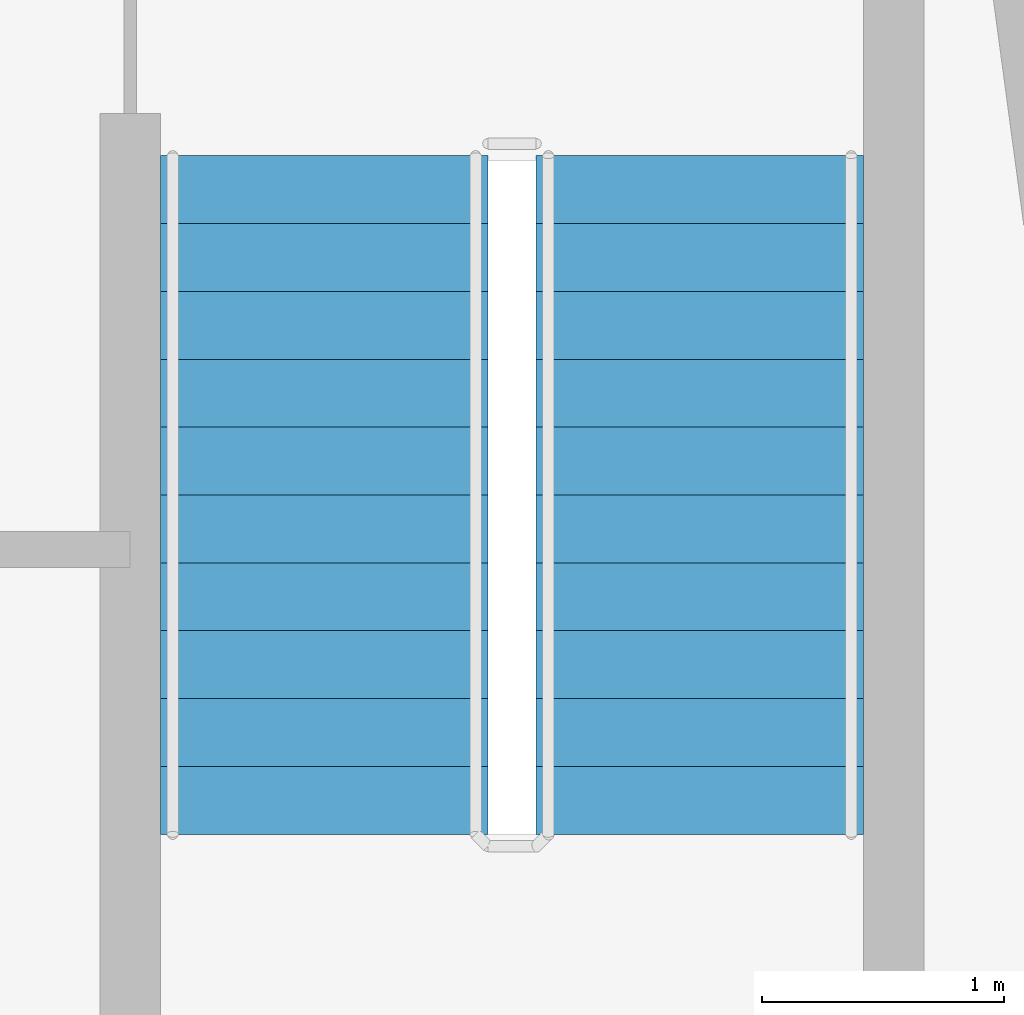
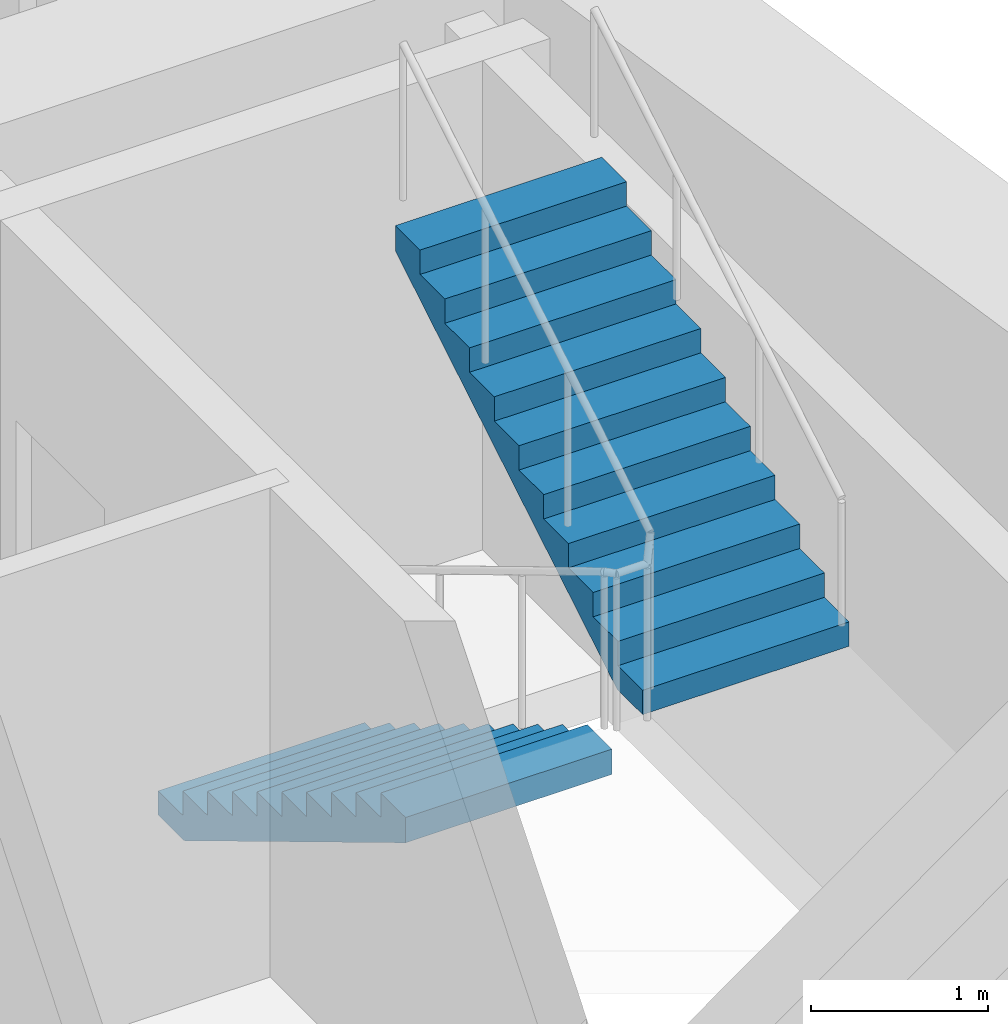
# One storey, part 9 of 14: 2 stair flights, 1 element without a shape of its own.
"""IFC4 building model written with IfcOpenShell, lengths in metres."""

from ifc_helpers import new_model, si_unit, direction, frame, origin, place, context, subcontext, project, spatial, polyline, outline, extrude, material, type_object, element, aggregate, save


model = new_model("IFC4")

# Units and contexts
model_context = context("Model", 3, precision=1e-05, world=origin(), true_north=direction((0.0, 1.0)))
body_context = subcontext(model_context, "Body", "Model", "MODEL_VIEW")
ifc_project = project(units=[si_unit("LENGTHUNIT", "METRE"), si_unit("AREAUNIT", "SQUARE_METRE"), si_unit("VOLUMEUNIT", "CUBIC_METRE"), si_unit("PLANEANGLEUNIT", "RADIAN"), si_unit("MASSUNIT", "GRAM", prefix="KILO")], contexts=[model_context])

# Site, building, storey
site_placement = place(None, origin())
site = spatial("IfcSite", under=ifc_project, at=site_placement, CompositionType="ELEMENT")
building_placement = place(site_placement, origin())
building = spatial("IfcBuilding", under=site, at=building_placement, Name="Candeia Pilgrim Tower and Theatre", CompositionType="ELEMENT")
storey_placement = place(building_placement, frame((0.0, 0.0, 173.699951171875)))
storey = spatial("IfcBuildingStorey", under=building, at=storey_placement, Name="L41", CompositionType="ELEMENT", Elevation=173.699951171875)

# Stair, stair flights
ifc_material = material(Name="Concrete C40/50", Category="concrete")
stair_type = type_object("IfcStairType", Name="ST-TWR dog-leg escape stair", PredefinedType="HALF_TURN_STAIR", material=ifc_material)
stair_placement = place(storey_placement, origin())
stair = element("IfcStair", 1, at=stair_placement, inside=storey, type_object=stair_type, Name="L41 Escape stair ST4", PredefinedType="HALF_TURN_STAIR")
stair_flight_type = type_object("IfcStairFlightType", Name="SFL-RC stair flight", PredefinedType="STRAIGHT", material=ifc_material)
stair_flight_1_placement = place(storey_placement, frame((134.77294921875, 129.72509765625, 0.0), z_axis=(0.0, 0.0, 1.0), x_axis=(0.0, -1.0, 0.0)))
stair_flight_1 = element("IfcStairFlight", 2, at=stair_flight_1_placement, type_object=stair_flight_type, Name="ST4 flight 1", NumberOfRisers=11, NumberOfTreads=10, PredefinedType="STRAIGHT", RiserHeight=0.168181818, TreadLength=0.28, context=body_context, shape_type="SweptSolid", body=[
    extrude(outline(polyline([(0.0, 0.0), (0.0, 0.168212890625), (0.280029296875, 0.168212890625), (0.280029296875, 0.33642578125), (0.56005859375, 0.33642578125), (0.56005859375, 0.504638671875), (0.840087890625, 0.504638671875), (0.840087890625, 0.672607421875), (1.1201171875, 0.672607421875), (1.1201171875, 0.8408203125), (1.39990234375, 0.8408203125), (1.39990234375, 1.009033203125), (1.679931640625, 1.009033203125), (1.679931640625, 1.17724609375), (1.9599609375, 1.17724609375), (1.9599609375, 1.345458984375), (2.239990234375, 1.345458984375), (2.239990234375, 1.513671875), (2.52001953125, 1.513671875), (2.52001953125, 1.681884765625), (2.800048828125, 1.681884765625), (2.800048828125, 1.85009765625), (2.800048828125, 1.5068359375), (0.291015625, 0.0), (0.0, 0.0)])), frame((0.0, 0.675048828125, 0.0), z_axis=(0.0, -1.0, 0.0), x_axis=(1.0, 0.0, 0.0)), (0.0, 0.0, 1.0), 1.35009765625),
])
stair_flight_2_placement = place(storey_placement, frame((136.322998046875, 126.925048828125, 1.85009765625), z_axis=(0.0, 0.0, 1.0), x_axis=(0.0, 1.0, 0.0)))
stair_flight_2 = element("IfcStairFlight", 3, at=stair_flight_2_placement, type_object=stair_flight_type, Name="ST4 flight 2", NumberOfRisers=11, NumberOfTreads=10, PredefinedType="STRAIGHT", RiserHeight=0.168181818, TreadLength=0.28, context=body_context, shape_type="SweptSolid", body=[
    extrude(outline(polyline([(0.0, 0.0), (0.0, 0.168212890625), (0.280029296875, 0.168212890625), (0.280029296875, 0.33642578125), (0.56005859375, 0.33642578125), (0.56005859375, 0.504638671875), (0.840087890625, 0.504638671875), (0.840087890625, 0.672607421875), (1.1201171875, 0.672607421875), (1.1201171875, 0.8408203125), (1.39990234375, 0.8408203125), (1.39990234375, 1.009033203125), (1.679931640625, 1.009033203125), (1.679931640625, 1.17724609375), (1.9599609375, 1.17724609375), (1.9599609375, 1.345458984375), (2.239990234375, 1.345458984375), (2.239990234375, 1.513671875), (2.52001953125, 1.513671875), (2.52001953125, 1.681884765625), (2.800048828125, 1.681884765625), (2.800048828125, 1.85009765625), (2.800048828125, 1.5068359375), (0.291015625, 0.0), (0.0, 0.0)])), frame((0.0, 0.675048828125, 0.0), z_axis=(0.0, -1.0, 0.0), x_axis=(1.0, 0.0, 0.0)), (0.0, 0.0, 1.0), 1.35009765625),
])
aggregate(stair, [stair_flight_1, stair_flight_2])

save(model, "model.ifc")
